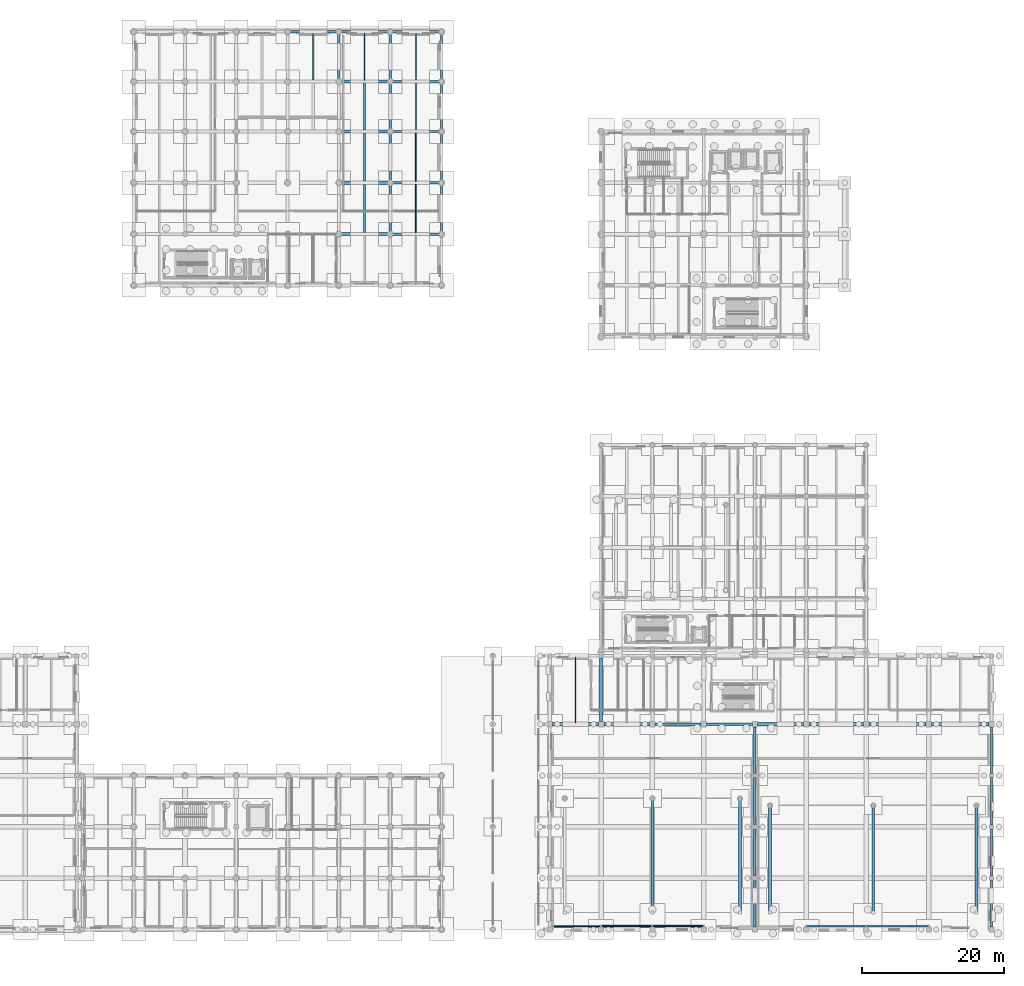
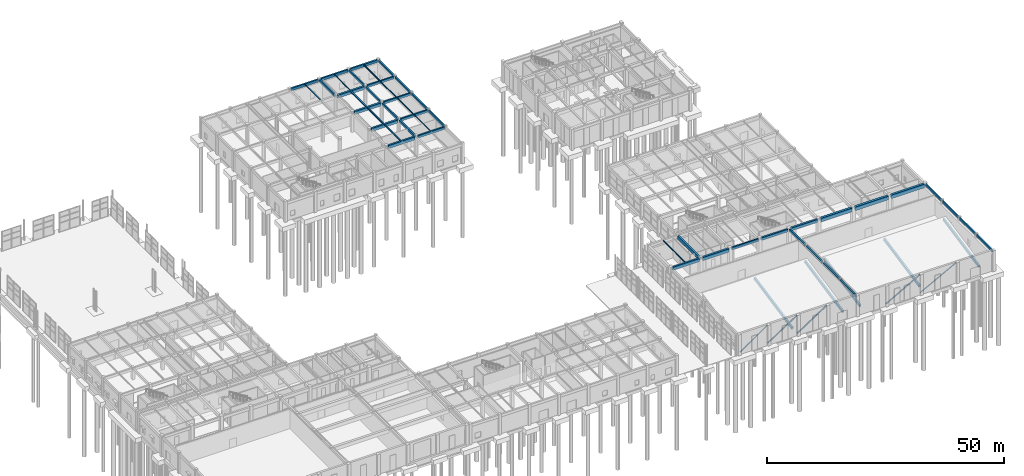
# One storey, part 46 of 91: 52 beams, 5 members.
"""IFC4 building model written with IfcOpenShell, lengths in metres."""

import ifcopenshell
import ifcopenshell.guid

model = None  # the IFC model being written
_history = None  # IfcOwnerHistory: only IFC2X3 demands one
_inside = {}  # id of a spatial element -> (the spatial element, [elements in it])
_under = {}  # id of a project, library or spatial element -> (it, [spatial elements below it])
_declared = {}  # id of a project -> (the project, [libraries it declares])
_typed = {}  # id of a type object -> (the type object, [elements of that type])
_made_of = {}  # id of a material, layer set ... -> (it, [elements and type objects made of it])


def new_model(schema):
    """Start an empty IFC model of exactly this schema.

    Asked for "IFC4X3", IfcOpenShell would pick the latest addendum, in which some entities
    have other attributes; the version numbers below select the first issue.
    IFC2X3 requires an IfcOwnerHistory on every rooted entity: one is made here for all.
    """
    global model, _history
    if schema == "IFC4X3":
        model = ifcopenshell.file(schema_version=(4, 3, 0, 0))
    else:
        model = ifcopenshell.file(schema=schema)
    _inside.clear()
    _under.clear()
    _declared.clear()
    _typed.clear()
    _made_of.clear()
    _history = None
    if model.schema == "IFC2X3":
        org = make("IfcOrganization", Name="unknown")
        user = make(
            "IfcPersonAndOrganization",
            ThePerson=make("IfcPerson", FamilyName="unknown"),
            TheOrganization=org,
        )
        app = make(
            "IfcApplication",
            ApplicationDeveloper=org,
            Version="unknown",
            ApplicationFullName="unknown",
            ApplicationIdentifier="unknown",
        )
        _history = make(
            "IfcOwnerHistory",
            OwningUser=user,
            OwningApplication=app,
            ChangeAction="ADDED",
            CreationDate=0,
        )
    return model


def make(cls, **values):
    """One entity of the class cls with the attributes given. An attribute that is None is left unset."""
    return model.create_entity(
        cls, **{name: value for name, value in values.items() if value is not None}
    )


def rooted(cls, **values):
    """An entity with a GlobalId (a new one), such as an element, a storey or a relation."""
    return make(cls, GlobalId=ifcopenshell.guid.new(), OwnerHistory=_history, **values)


def si_unit(unit_type, name, prefix=None):
    """IfcSIUnit, for example si_unit("LENGTHUNIT", "METRE", prefix="MILLI")."""
    return make("IfcSIUnit", UnitType=unit_type, Prefix=prefix, Name=name)


def assignment(units):
    """IfcUnitAssignment: the units of a project."""
    return None if units is None else make("IfcUnitAssignment", Units=units)


def point(xyz):
    """IfcCartesianPoint."""
    return None if xyz is None else make("IfcCartesianPoint", Coordinates=xyz)


def direction(xyz):
    """IfcDirection."""
    return None if xyz is None else make("IfcDirection", DirectionRatios=xyz)


def frame(location, z_axis=None, x_axis=None):
    """IfcAxis2Placement3D, a coordinate frame: its origin and axes. An axis left out is left unset."""
    return make(
        "IfcAxis2Placement3D",
        Location=point(location),
        Axis=direction(z_axis),
        RefDirection=direction(x_axis),
    )


def frame_2d(location, x_axis=None):
    """IfcAxis2Placement2D, a coordinate frame in the plane: its origin and x axis."""
    return make(
        "IfcAxis2Placement2D", Location=point(location), RefDirection=direction(x_axis)
    )


def origin():
    """The frame at (0, 0, 0) with its axes left unset."""
    return frame((0.0, 0.0, 0.0))


def origin_2d():
    """The frame at (0, 0) in the plane with its x axis left unset."""
    return frame_2d((0.0, 0.0))


def place(relative_to, where):
    """IfcLocalPlacement: puts the frame where relative to a parent placement (None: the world)."""
    return make(
        "IfcLocalPlacement", PlacementRelTo=relative_to, RelativePlacement=where
    )


def context(
    kind, dimensions, precision=None, world=None, true_north=None, identifier=None
):
    """IfcGeometricRepresentationContext, for example the 3D "Model" context."""
    return make(
        "IfcGeometricRepresentationContext",
        ContextIdentifier=identifier,
        ContextType=kind,
        CoordinateSpaceDimension=dimensions,
        Precision=precision,
        WorldCoordinateSystem=world,
        TrueNorth=true_north,
    )


def subcontext(parent, identifier, kind, view, scale=None):
    """IfcGeometricRepresentationSubContext, for example "Body" below "Model"."""
    return make(
        "IfcGeometricRepresentationSubContext",
        ContextIdentifier=identifier,
        ContextType=kind,
        ParentContext=parent,
        TargetScale=scale,
        TargetView=view,
    )


def project(units=None, contexts=None):
    """IfcProject with its units and contexts."""
    return rooted(
        "IfcProject",
        Name="project",
        RepresentationContexts=contexts,
        UnitsInContext=assignment(units),
    )


def spatial(cls, under=None, at=None, **own):
    """A site, building, storey or space (cls), placed at a placement, below another one or the project."""
    s = rooted(cls, ObjectPlacement=at, **own)
    if under is not None:
        _under.setdefault(under.id(), (under, []))[1].append(s)
    return s


def profile(cls, at=None, kind="AREA", **sizes):
    """A parametric profile (cls). Its sizes go by their IFC names, for example OverallWidth=200.0."""
    return make(cls, ProfileType=kind, Position=at, **sizes)


def rectangle(**sizes):
    """IfcRectangleProfileDef."""
    return profile("IfcRectangleProfileDef", **sizes)


def hollow_rectangle(**sizes):
    """IfcRectangleHollowProfileDef."""
    return profile("IfcRectangleHollowProfileDef", **sizes)


def hollow_circle(**sizes):
    """IfcCircleHollowProfileDef."""
    return profile("IfcCircleHollowProfileDef", **sizes)


def i_section(**sizes):
    """IfcIShapeProfileDef."""
    return profile("IfcIShapeProfileDef", **sizes)


def extrude(swept, where, along, depth):
    """IfcExtrudedAreaSolid: the profile swept, set in the frame where, extruded along a direction by depth."""
    return make(
        "IfcExtrudedAreaSolid",
        SweptArea=swept,
        Position=where,
        ExtrudedDirection=direction(along),
        Depth=depth,
    )


def shape(context_of_items, identifier, shape_type, items):
    """IfcShapeRepresentation: the items that make up one representation, for example the "Body"."""
    return make(
        "IfcShapeRepresentation",
        ContextOfItems=context_of_items,
        RepresentationIdentifier=identifier,
        RepresentationType=shape_type,
        Items=items,
    )


def material(Name=None, Category=None):
    """IfcMaterial."""
    return make("IfcMaterial", Name=Name, Category=Category)


def material_profile(
    of_material, cross_section, Name=None, Category=None, Priority=None
):
    """IfcMaterialProfile: a cross section and its material."""
    return make(
        "IfcMaterialProfile",
        Name=Name,
        Material=of_material,
        Profile=cross_section,
        Priority=Priority,
        Category=Category,
    )


def profile_set(profiles, Name=None, composite=None):
    """IfcMaterialProfileSet."""
    return make(
        "IfcMaterialProfileSet",
        Name=Name,
        MaterialProfiles=profiles,
        CompositeProfile=composite,
    )


def made_of(thing, what):
    """Note that an element or type object is made of a material, layer set ...; save() writes the relation."""
    if what is not None:
        _made_of.setdefault(what.id(), (what, []))[1].append(thing)
    return thing


def type_object(cls, material=None, **own):
    """A type object (cls), such as IfcWallType, which elements share."""
    return made_of(rooted(cls, **own), material)


def element(
    cls,
    number,
    at=None,
    inside=None,
    cuts=None,
    type_object=None,
    material=None,
    context=None,
    identifier="Body",
    shape_type=None,
    held_by="IfcProductDefinitionShape",
    body=None,
    shapes=None,
    **own,
):
    """One element of the class cls, such as IfcWall. Its Tag is "e" and its number.

    at: its placement. inside: the storey or other place that contains it. cuts: it is an
    opening in that element (IfcRelVoidsElement). A single representation is given by context,
    identifier, shape_type and body (its items); several are given by shapes. held_by: the class
    of the entity that holds the representations. save() writes the other relations.
    """
    e = rooted(cls, Tag="e%d" % number, ObjectPlacement=at, **own)
    if body is not None:
        shapes = [shape(context, identifier, shape_type, body)]
    if shapes is not None:
        e.Representation = make(held_by, Representations=shapes)
    if inside is not None:
        _inside.setdefault(inside.id(), (inside, []))[1].append(e)
    if cuts is not None:
        rooted(
            "IfcRelVoidsElement", RelatingBuildingElement=cuts, RelatedOpeningElement=e
        )
    if type_object is not None:
        _typed.setdefault(type_object.id(), (type_object, []))[1].append(e)
    return made_of(e, material)


def aggregate(whole, parts):
    """IfcRelAggregates: a whole, such as a stair, and the parts it consists of."""
    return rooted("IfcRelAggregates", RelatingObject=whole, RelatedObjects=parts)


def save(model, path):
    """Write the relations noted so far, then the file.

    IfcRelAggregates (storeys below a building ...), IfcRelContainedInSpatialStructure (elements
    in a storey), IfcRelDefinesByType, IfcRelAssociatesMaterial and IfcRelDeclares: one each for
    every whole, place, type object, material and project.
    """
    for whole, parts in _under.values():
        aggregate(whole, parts)
    for where, things in _inside.values():
        rooted(
            "IfcRelContainedInSpatialStructure",
            RelatedElements=things,
            RelatingStructure=where,
        )
    for kind, things in _typed.values():
        rooted("IfcRelDefinesByType", RelatedObjects=things, RelatingType=kind)
    for what, things in _made_of.values():
        rooted("IfcRelAssociatesMaterial", RelatedObjects=things, RelatingMaterial=what)
    for by, libraries in _declared.values():
        rooted("IfcRelDeclares", RelatingContext=by, RelatedDefinitions=libraries)
    model.write(path)


model = new_model("IFC4")

# Units and contexts
model_context = context("Model", 3, precision=1e-05, world=origin(), true_north=direction((0.0, 1.0)))
body_context = subcontext(model_context, "Body", "Model", "MODEL_VIEW")
ifc_project = project(units=[si_unit("LENGTHUNIT", "METRE"), si_unit("AREAUNIT", "SQUARE_METRE"), si_unit("VOLUMEUNIT", "CUBIC_METRE"), si_unit("PLANEANGLEUNIT", "RADIAN"), si_unit("MASSUNIT", "GRAM", prefix="KILO")], contexts=[model_context])

# Site, building, storey
site_placement = place(None, origin())
site = spatial("IfcSite", under=ifc_project, at=site_placement, CompositionType="ELEMENT")
building_placement = place(site_placement, origin())
building = spatial("IfcBuilding", under=site, at=building_placement, Name="Bramveld Media Centre", CompositionType="ELEMENT")
storey_placement = place(building_placement, origin())
storey = spatial("IfcBuildingStorey", under=building, at=storey_placement, Name="L00", CompositionType="ELEMENT", Elevation=0.0)

# Beams
ifc_material_1 = material(Name="Concrete C40/50", Category="concrete")
ifc_material_profile_1 = material_profile(ifc_material_1, rectangle(XDim=0.35009765625, YDim=0.60009765625, at=origin_2d()), Name="RC 350x600")
ifc_profile_set_1 = profile_set([ifc_material_profile_1], Name="Concrete C40/50")
beam_type_1 = type_object("IfcBeamType", Name="BM-INT-RC-350x600", PredefinedType="BEAM", material=ifc_profile_set_1)
beam_1_placement = place(storey_placement, frame((152.800048828125, 0.360107421875, 4.85009765625), z_axis=(0.0, 1.0, 0.0), x_axis=(-1.0, 0.0, 0.0)))
element("IfcBeam", 1, at=beam_1_placement, inside=storey, type_object=beam_type_1, Name="V1 L00 girder Y-25", PredefinedType="BEAM", context=body_context, shape_type="SweptSolid", body=[
    extrude(rectangle(XDim=0.35009765625, YDim=0.60009765625, at=origin_2d()), origin(), (0.0, 0.0, 1.0), 6.539794921875),
])
for number, where, z_axis, x_axis, name in (
    (2, (152.800048828125, 7.5, 4.85009765625), (0.0, 1.0, 0.0), (-1.0, 0.0, 0.0), "V1 L00 girder Y-26"),
    (3, (152.800048828125, 14.699951171875, 4.85009765625), (0.0, 1.0, 0.0), (-1.0, 0.0, 0.0), "V1 L00 girder Y-27"),
):
    element("IfcBeam", number, at=place(storey_placement, frame(where, z_axis=z_axis, x_axis=x_axis)), inside=storey, type_object=beam_type_1, Name=name, PredefinedType="BEAM", context=body_context, shape_type="SweptSolid", body=[
        extrude(rectangle(XDim=0.35009765625, YDim=0.60009765625, at=origin_2d()), origin(), (0.0, 0.0, 1.0), 6.60009765625),
    ])
beam_2_placement = place(storey_placement, frame((152.800048828125, 21.89990234375, 4.85009765625), z_axis=(0.0, 1.0, 0.0), x_axis=(-1.0, 0.0, 0.0)))
element("IfcBeam", 4, at=beam_2_placement, inside=storey, type_object=beam_type_1, Name="V1 L00 girder Y-28", PredefinedType="BEAM", context=body_context, shape_type="SweptSolid", body=[
    extrude(rectangle(XDim=0.35009765625, YDim=0.60009765625, at=origin_2d()), origin(), (0.0, 0.0, 1.0), 6.525146484375),
])
beam_3_placement = place(storey_placement, frame((94.39990234375, 119.375, 4.860107421875), z_axis=(0.0, 1.0, 0.0), x_axis=(-1.0, 0.0, 0.0)))
element("IfcBeam", 5, at=beam_3_placement, inside=storey, type_object=beam_type_1, Name="V6 L00 girder Y-959", PredefinedType="BEAM", context=body_context, shape_type="SweptSolid", body=[
    extrude(rectangle(XDim=0.35009765625, YDim=0.60009765625, at=origin_2d()), origin(), (0.0, 0.0, 1.0), 6.31494140625),
])
for number, where, z_axis, x_axis, name in (
    (6, (101.60009765625, 97.97509765625, 4.820068359375), (0.0, 1.0, 0.0), (-1.0, 0.0, 0.0), "V6 L00 girder Y-961"),
    (7, (101.60009765625, 105.175048828125, 4.820068359375), (0.0, 1.0, 0.0), (-1.0, 0.0, 0.0), "V6 L00 girder Y-962"),
):
    element("IfcBeam", number, at=place(storey_placement, frame(where, z_axis=z_axis, x_axis=x_axis)), inside=storey, type_object=beam_type_1, Name=name, PredefinedType="BEAM", context=body_context, shape_type="SweptSolid", body=[
        extrude(rectangle(XDim=0.35009765625, YDim=0.60009765625, at=origin_2d()), origin(), (0.0, 0.0, 1.0), 6.449951171875),
    ])
beam_4_placement = place(storey_placement, frame((101.60009765625, 112.375, 4.820068359375), z_axis=(0.0, 1.0, 0.0), x_axis=(-1.0, 0.0, 0.0)))
element("IfcBeam", 8, at=beam_4_placement, inside=storey, type_object=beam_type_1, Name="V6 L00 girder Y-963", PredefinedType="BEAM", context=body_context, shape_type="SweptSolid", body=[
    extrude(rectangle(XDim=0.35009765625, YDim=0.60009765625, at=origin_2d()), origin(), (0.0, 0.0, 1.0), 6.25),
])
beam_5_placement = place(storey_placement, frame((101.60009765625, 119.375, 4.860107421875), z_axis=(0.0, 1.0, 0.0), x_axis=(-1.0, 0.0, 0.0)))
element("IfcBeam", 9, at=beam_5_placement, inside=storey, type_object=beam_type_1, Name="V6 L00 girder Y-964", PredefinedType="BEAM", context=body_context, shape_type="SweptSolid", body=[
    extrude(rectangle(XDim=0.35009765625, YDim=0.60009765625, at=origin_2d()), origin(), (0.0, 0.0, 1.0), 6.31494140625),
])
ifc_material_2 = material(Name="Concrete C40/50", Category="concrete")
ifc_material_profile_2 = material_profile(ifc_material_2, rectangle(XDim=0.35009765625, YDim=0.64990234375, at=origin_2d()), Name="RC 350x650")
ifc_profile_set_2 = profile_set([ifc_material_profile_2], Name="Concrete C40/50")
beam_type_2 = type_object("IfcBeamType", Name="BM-INT-RC-350x650", PredefinedType="BEAM", material=ifc_profile_set_2)
beam_6_placement = place(storey_placement, frame((138.77490234375, 28.800048828125, 4.794921875), z_axis=(1.0, 0.0, 0.0), x_axis=(0.0, 1.0, 0.0)))
element("IfcBeam", 10, at=beam_6_placement, inside=storey, type_object=beam_type_2, Name="V1 L00 girder X-3", PredefinedType="BEAM", context=body_context, shape_type="SweptSolid", body=[
    extrude(rectangle(XDim=0.35009765625, YDim=0.64990234375, at=origin_2d()), origin(), (0.0, 0.0, 1.0), 6.4501953125),
])
for number, where, z_axis, x_axis, name in (
    (11, (101.97509765625, 97.60009765625, 4.794921875), (1.0, 0.0, 0.0), (0.0, 1.0, 0.0), "V6 L00 girder X-915"),
    (12, (101.97509765625, 104.800048828125, 4.794921875), (1.0, 0.0, 0.0), (0.0, 1.0, 0.0), "V6 L00 girder X-919"),
    (13, (101.97509765625, 112.0, 4.794921875), (1.0, 0.0, 0.0), (0.0, 1.0, 0.0), "V6 L00 girder X-925"),
    (14, (101.97509765625, 119.0, 4.794921875), (1.0, 0.0, 0.0), (0.0, 1.0, 0.0), "V6 L00 girder X-931"),
):
    element("IfcBeam", number, at=place(storey_placement, frame(where, z_axis=z_axis, x_axis=x_axis)), inside=storey, type_object=beam_type_2, Name=name, PredefinedType="BEAM", context=body_context, shape_type="SweptSolid", body=[
        extrude(rectangle(XDim=0.35009765625, YDim=0.64990234375, at=origin_2d()), origin(), (0.0, 0.0, 1.0), 6.514892578125),
    ])
ifc_material_3 = material(Name="Concrete C40/50", Category="concrete")
ifc_material_profile_3 = material_profile(ifc_material_3, rectangle(XDim=0.39990234375, YDim=0.64990234375, at=origin_2d()), Name="RC 400x650")
ifc_profile_set_3 = profile_set([ifc_material_profile_3], Name="Concrete C40/50")
beam_type_3 = type_object("IfcBeamType", Name="BM-INT-RC-400x650", PredefinedType="BEAM", material=ifc_profile_set_3)
for number, where, z_axis, x_axis, name in (
    (15, (138.39990234375, 2.39990234375, 0.375), (0.0, 0.979747472329, 0.200237085638), (-1.0, 0.0, 0.0), "Cinema 1 Raked Seating Slab raker beam 2"),
    (16, (150.699951171875, 2.39990234375, 0.375), (0.0, 0.979747472329, 0.200237085638), (-1.0, 0.0, 0.0), "Cinema 1 Raked Seating Slab raker beam 3"),
):
    element("IfcBeam", number, at=place(storey_placement, frame(where, z_axis=z_axis, x_axis=x_axis)), inside=storey, type_object=beam_type_3, Name=name, PredefinedType="BEAM", context=body_context, shape_type="SweptSolid", body=[
        extrude(rectangle(XDim=0.39990234375, YDim=0.64990234375, at=origin_2d()), origin(), (0.0, 0.0, 1.0), 16.330810546875),
    ])
for number, where, z_axis, x_axis, name in (
    (17, (154.89990234375, 2.39990234375, 0.39501953125), (0.0, 0.979690734172, 0.200514501664), (-1.0, 0.0, 0.0), "Cinema 2 Raked Seating Slab raker beam 1"),
    (18, (169.39990234375, 2.39990234375, 0.39501953125), (0.0, 0.979690734172, 0.200514501664), (-1.0, 0.0, 0.0), "Cinema 2 Raked Seating Slab raker beam 2"),
    (19, (183.89990234375, 2.39990234375, 0.39501953125), (0.0, 0.979690734172, 0.200514501664), (-1.0, 0.0, 0.0), "Cinema 2 Raked Seating Slab raker beam 3"),
):
    element("IfcBeam", number, at=place(storey_placement, frame(where, z_axis=z_axis, x_axis=x_axis)), inside=storey, type_object=beam_type_3, Name=name, PredefinedType="BEAM", context=body_context, shape_type="SweptSolid", body=[
        extrude(rectangle(XDim=0.39990234375, YDim=0.64990234375, at=origin_2d()), origin(), (0.0, 0.0, 1.0), 15.31103515625),
    ])
ifc_material_4 = material(Name="Concrete C40/50", Category="concrete")
ifc_material_profile_4 = material_profile(ifc_material_4, rectangle(XDim=0.39990234375, YDim=0.699951171875, at=origin_2d()), Name="RC 400x700")
ifc_profile_set_4 = profile_set([ifc_material_profile_4], Name="Concrete C40/50")
beam_type_4 = type_object("IfcBeamType", Name="BM-INT-RC-400x700", PredefinedType="BEAM", material=ifc_profile_set_4)
beam_7_placement = place(storey_placement, frame((145.97509765625, 28.800048828125, 4.77001953125), z_axis=(1.0, 0.0, 0.0), x_axis=(0.0, 1.0, 0.0)))
element("IfcBeam", 20, at=beam_7_placement, inside=storey, type_object=beam_type_4, Name="V1 L00 girder X-4", PredefinedType="BEAM", context=body_context, shape_type="SweptSolid", body=[
    extrude(rectangle(XDim=0.39990234375, YDim=0.699951171875, at=origin_2d()), origin(), (0.0, 0.0, 1.0), 6.449951171875),
])
ifc_material_5 = material(Name="Concrete C40/50", Category="concrete")
ifc_material_profile_5 = material_profile(ifc_material_5, rectangle(XDim=0.449951171875, YDim=0.75, at=origin_2d()), Name="RC 450x750")
ifc_profile_set_5 = profile_set([ifc_material_profile_5], Name="Concrete C40/50")
beam_type_5 = type_object("IfcBeamType", Name="BM-INT-RC-450x750", PredefinedType="BEAM", material=ifc_profile_set_5)
beam_8_placement = place(storey_placement, frame((153.175048828125, 28.800048828125, 4.7451171875), z_axis=(1.0, 0.0, 0.0), x_axis=(0.0, 1.0, 0.0)))
element("IfcBeam", 21, at=beam_8_placement, inside=storey, type_object=beam_type_5, Name="V1 L00 girder X-5", PredefinedType="BEAM", context=body_context, shape_type="SweptSolid", body=[
    extrude(rectangle(XDim=0.449951171875, YDim=0.75, at=origin_2d()), origin(), (0.0, 0.0, 1.0), 6.449951171875),
])
ifc_material_6 = material(Name="Concrete C40/50", Category="concrete")
ifc_material_profile_6 = material_profile(ifc_material_6, rectangle(XDim=0.449951171875, YDim=0.800048828125, at=origin_2d()), Name="RC 450x800")
ifc_profile_set_6 = profile_set([ifc_material_profile_6], Name="Concrete C40/50")
beam_type_6 = type_object("IfcBeamType", Name="BM-INT-RC-450x800", PredefinedType="BEAM", material=ifc_profile_set_6)
beam_9_placement = place(storey_placement, frame((124.360107421875, 28.800048828125, 4.719970703125), z_axis=(1.0, 0.0, 0.0), x_axis=(0.0, 1.0, 0.0)))
element("IfcBeam", 22, at=beam_9_placement, inside=storey, type_object=beam_type_6, Name="V1 L00 girder X-1", PredefinedType="BEAM", context=body_context, shape_type="SweptSolid", body=[
    extrude(rectangle(XDim=0.449951171875, YDim=0.800048828125, at=origin_2d()), origin(), (0.0, 0.0, 1.0), 6.46484375),
])
beam_10_placement = place(storey_placement, frame((131.199951171875, 29.175048828125, 4.719970703125), z_axis=(0.0, 1.0, 0.0), x_axis=(-1.0, 0.0, 0.0)))
element("IfcBeam", 23, at=beam_10_placement, inside=storey, type_object=beam_type_6, Name="V1 L00 girder Y-22", PredefinedType="BEAM", context=body_context, shape_type="SweptSolid", body=[
    extrude(rectangle(XDim=0.449951171875, YDim=0.800048828125, at=origin_2d()), origin(), (0.0, 0.0, 1.0), 8.93505859375),
])
for number, where, z_axis, x_axis, name in (
    (24, (94.77490234375, 97.60009765625, 4.719970703125), (1.0, 0.0, 0.0), (0.0, 1.0, 0.0), "V6 L00 girder X-914"),
    (25, (94.77490234375, 104.800048828125, 4.719970703125), (1.0, 0.0, 0.0), (0.0, 1.0, 0.0), "V6 L00 girder X-918"),
    (26, (94.77490234375, 112.0, 4.719970703125), (1.0, 0.0, 0.0), (0.0, 1.0, 0.0), "V6 L00 girder X-924"),
    (27, (94.77490234375, 119.0, 4.719970703125), (1.0, 0.0, 0.0), (0.0, 1.0, 0.0), "V6 L00 girder X-930"),
):
    element("IfcBeam", number, at=place(storey_placement, frame(where, z_axis=z_axis, x_axis=x_axis)), inside=storey, type_object=beam_type_6, Name=name, PredefinedType="BEAM", context=body_context, shape_type="SweptSolid", body=[
        extrude(rectangle(XDim=0.449951171875, YDim=0.800048828125, at=origin_2d()), origin(), (0.0, 0.0, 1.0), 6.4501953125),
    ])
ifc_material_7 = material(Name="Concrete C40/50", Category="concrete")
ifc_material_profile_7 = material_profile(ifc_material_7, rectangle(XDim=0.5, YDim=0.85009765625, at=origin_2d()), Name="RC 500x850")
ifc_profile_set_7 = profile_set([ifc_material_profile_7], Name="Concrete C40/50")
beam_type_7 = type_object("IfcBeamType", Name="BM-INT-RC-500x850", PredefinedType="BEAM", material=ifc_profile_set_7)
beam_11_placement = place(storey_placement, frame((131.574951171875, 28.800048828125, 4.695068359375), z_axis=(1.0, 0.0, 0.0), x_axis=(0.0, 1.0, 0.0)))
element("IfcBeam", 28, at=beam_11_placement, inside=storey, type_object=beam_type_7, Name="V1 L00 girder X-2", PredefinedType="BEAM", context=body_context, shape_type="SweptSolid", body=[
    extrude(rectangle(XDim=0.5, YDim=0.85009765625, at=origin_2d()), origin(), (0.0, 0.0, 1.0), 6.449951171875),
])
ifc_material_8 = material(Name="Concrete C40/50", Category="concrete")
ifc_material_profile_8 = material_profile(ifc_material_8, rectangle(XDim=0.550048828125, YDim=0.949951171875, at=origin_2d()), Name="RC 550x950")
ifc_profile_set_8 = profile_set([ifc_material_profile_8], Name="Concrete C40/50")
beam_type_8 = type_object("IfcBeamType", Name="BM-INT-RC-550x950", PredefinedType="BEAM", material=ifc_profile_set_8)
beam_12_placement = place(storey_placement, frame((160.375, 28.800048828125, 4.64501953125), z_axis=(1.0, 0.0, 0.0), x_axis=(0.0, 1.0, 0.0)))
element("IfcBeam", 29, at=beam_12_placement, inside=storey, type_object=beam_type_8, Name="V1 L00 girder X-6", PredefinedType="BEAM", context=body_context, shape_type="SweptSolid", body=[
    extrude(rectangle(XDim=0.550048828125, YDim=0.949951171875, at=origin_2d()), origin(), (0.0, 0.0, 1.0), 7.64990234375),
])
beam_13_placement = place(storey_placement, frame((168.77490234375, 28.800048828125, 4.64501953125), z_axis=(1.0, 0.0, 0.0), x_axis=(0.0, 1.0, 0.0)))
element("IfcBeam", 30, at=beam_13_placement, inside=storey, type_object=beam_type_8, Name="V1 L00 girder X-7", PredefinedType="BEAM", context=body_context, shape_type="SweptSolid", body=[
    extrude(rectangle(XDim=0.550048828125, YDim=0.949951171875, at=origin_2d()), origin(), (0.0, 0.0, 1.0), 8.050048828125),
])
beam_14_placement = place(storey_placement, frame((177.574951171875, 28.800048828125, 4.64501953125), z_axis=(1.0, 0.0, 0.0), x_axis=(0.0, 1.0, 0.0)))
element("IfcBeam", 31, at=beam_14_placement, inside=storey, type_object=beam_type_8, Name="V1 L00 girder X-8", PredefinedType="BEAM", context=body_context, shape_type="SweptSolid", body=[
    extrude(rectangle(XDim=0.550048828125, YDim=0.949951171875, at=origin_2d()), origin(), (0.0, 0.0, 1.0), 8.06494140625),
])

# Members
ifc_material_9 = material(Name="Steel S355J2H", Category="steel")
ifc_material_profile_9 = material_profile(ifc_material_9, hollow_circle(Radius=0.136474609375, WallThickness=0.012451171875, at=origin_2d()), Name="CHS 273x12.5")
ifc_profile_set_9 = profile_set([ifc_material_profile_9], Name="Steel S355J2H")
member_type_1 = type_object("IfcMemberType", Name="MEM-BRACE-CHS273", PredefinedType="BRACE", material=ifc_profile_set_9)
member_1_placement = place(storey_placement, frame((124.5, 0.43994140625, 0.25), z_axis=(0.818658311294, 0.0, 0.574280915014), x_axis=(0.0, 1.0, 0.0)))
element("IfcMember", 32, at=member_1_placement, inside=storey, type_object=member_type_1, Name="Acoustic hall lateral brace BRC-V1-S1", PredefinedType="BRACE", context=body_context, shape_type="SweptSolid", body=[
    extrude(hollow_circle(Radius=0.136474609375, WallThickness=0.012451171875, at=origin_2d()), origin(), (0.0, 0.0, 1.0), 8.18408203125),
])
ifc_material_10 = material(Name="Steel S355J2H", Category="steel")
ifc_material_profile_10 = material_profile(ifc_material_10, hollow_circle(Radius=0.161865234375, WallThickness=0.01611328125, at=origin_2d()), Name="CHS 323.9x16")
ifc_profile_set_10 = profile_set([ifc_material_profile_10], Name="Steel S355J2H")
member_type_2 = type_object("IfcMemberType", Name="MEM-BRACE-CHS323", PredefinedType="BRACE", material=ifc_profile_set_10)
member_2_placement = place(storey_placement, frame((131.199951171875, 0.43994140625, 0.25), z_axis=(0.837380052936, 0.0, 0.546621118276), x_axis=(0.0, 1.0, 0.0)))
element("IfcMember", 33, at=member_2_placement, inside=storey, type_object=member_type_2, Name="Acoustic hall lateral brace BRC-V1-S2", PredefinedType="BRACE", context=body_context, shape_type="SweptSolid", body=[
    extrude(hollow_circle(Radius=0.161865234375, WallThickness=0.01611328125, at=origin_2d()), origin(), (0.0, 0.0, 1.0), 8.59814453125),
])
ifc_material_11 = material(Name="Steel S355J2H", Category="steel")
ifc_material_profile_11 = material_profile(ifc_material_11, hollow_circle(Radius=0.177734375, WallThickness=0.01611328125, at=origin_2d()), Name="CHS 355.6x16")
ifc_profile_set_11 = profile_set([ifc_material_profile_11], Name="Steel S355J2H")
member_type_3 = type_object("IfcMemberType", Name="MEM-BRACE-CHS355", PredefinedType="BRACE", material=ifc_profile_set_11)
member_3_placement = place(storey_placement, frame((138.39990234375, 0.43994140625, 0.25), z_axis=(0.837388536736, 0.0, 0.546608121549), x_axis=(0.0, 1.0, 0.0)))
element("IfcMember", 34, at=member_3_placement, inside=storey, type_object=member_type_3, Name="Acoustic hall lateral brace BRC-V1-S3", PredefinedType="BRACE", context=body_context, shape_type="SweptSolid", body=[
    extrude(hollow_circle(Radius=0.177734375, WallThickness=0.01611328125, at=origin_2d()), origin(), (0.0, 0.0, 1.0), 8.598388671875),
])
ifc_material_12 = material(Name="Steel S355J2H", Category="steel")
ifc_material_profile_12 = material_profile(ifc_material_12, hollow_rectangle(XDim=0.14990234375, YDim=0.25, WallThickness=0.010009765625, InnerFilletRadius=0.010009765625, OuterFilletRadius=0.02001953125, at=origin_2d()), Name="RHS 250x150x10")
ifc_profile_set_12 = profile_set([ifc_material_profile_12], Name="Steel S355J2H")
member_type_4 = type_object("IfcMemberType", Name="MEM-CHORD-RHS250", PredefinedType="CHORD", material=ifc_profile_set_12)
member_4_placement = place(storey_placement, frame((168.39990234375, 0.43994140625, 0.25), z_axis=(0.882078438459, 0.0, 0.471102566758), x_axis=(0.0, 1.0, 0.0)))
element("IfcMember", 35, at=member_4_placement, inside=storey, type_object=member_type_4, Name="Acoustic hall lateral brace BRC-V1-S5", PredefinedType="CHORD", context=body_context, shape_type="SweptSolid", body=[
    extrude(hollow_rectangle(XDim=0.14990234375, YDim=0.25, WallThickness=0.010009765625, InnerFilletRadius=0.010009765625, OuterFilletRadius=0.02001953125, at=origin_2d()), origin(), (0.0, 0.0, 1.0), 9.9765625),
])
ifc_material_13 = material(Name="Steel S355J2H", Category="steel")
ifc_material_profile_13 = material_profile(ifc_material_13, hollow_rectangle(XDim=0.199951171875, YDim=0.300048828125, WallThickness=0.012451171875, InnerFilletRadius=0.012451171875, OuterFilletRadius=0.02490234375, at=origin_2d()), Name="RHS 300x200x12.5")
ifc_profile_set_13 = profile_set([ifc_material_profile_13], Name="Steel S355J2H")
member_type_5 = type_object("IfcMemberType", Name="MEM-CHORD-RHS300", PredefinedType="CHORD", material=ifc_profile_set_13)
member_5_placement = place(storey_placement, frame((160.0, 0.43994140625, 0.25), z_axis=(0.872682859829, 0.0, 0.488287442149), x_axis=(0.0, 1.0, 0.0)))
element("IfcMember", 36, at=member_5_placement, inside=storey, type_object=member_type_5, Name="Acoustic hall lateral brace BRC-V1-S4", PredefinedType="CHORD", context=body_context, shape_type="SweptSolid", body=[
    extrude(hollow_rectangle(XDim=0.199951171875, YDim=0.300048828125, WallThickness=0.012451171875, InnerFilletRadius=0.012451171875, OuterFilletRadius=0.02490234375, at=origin_2d()), origin(), (0.0, 0.0, 1.0), 9.62548828125),
])

# Beams
ifc_material_14 = material(Name="Steel S355J2", Category="steel")
ifc_material_profile_14 = material_profile(ifc_material_14, i_section(OverallWidth=0.199951171875, OverallDepth=0.199951171875, WebThickness=0.009033203125, FlangeThickness=0.014892578125, FilletRadius=0.01806640625, at=origin_2d()), Name="HEB 200")
ifc_profile_set_14 = profile_set([ifc_material_profile_14], Name="Steel S355J2")
beam_type_9 = type_object("IfcBeamType", Name="SBM-INT-HEB-200", PredefinedType="BEAM", material=ifc_profile_set_14)
beam_15_placement = place(storey_placement, frame((90.800048828125, 119.22509765625, 5.06005859375), z_axis=(0.0, 1.0, 0.0), x_axis=(-1.0, 0.0, 0.0)))
element("IfcBeam", 37, at=beam_15_placement, inside=storey, type_object=beam_type_9, Name="V6 L00 secondary floor joist 983", PredefinedType="BEAM", context=body_context, shape_type="SweptSolid", body=[
    extrude(i_section(OverallWidth=0.199951171875, OverallDepth=0.199951171875, WebThickness=0.009033203125, FlangeThickness=0.014892578125, FilletRadius=0.01806640625, at=origin_2d()), origin(), (0.0, 0.0, 1.0), 6.5849609375),
])
ifc_material_15 = material(Name="Steel S355J2", Category="steel")
ifc_material_profile_15 = material_profile(ifc_material_15, i_section(OverallWidth=0.260009765625, OverallDepth=0.260009765625, WebThickness=0.010009765625, FlangeThickness=0.017578125, FilletRadius=0.02392578125, at=origin_2d()), Name="HEB 260")
ifc_profile_set_15 = profile_set([ifc_material_profile_15], Name="Steel S355J2")
beam_type_10 = type_object("IfcBeamType", Name="SBM-INT-HEB-260", PredefinedType="BEAM", material=ifc_profile_set_15)
beam_16_placement = place(storey_placement, frame((98.0, 97.824951171875, 4.989990234375), z_axis=(0.0, 1.0, 0.0), x_axis=(-1.0, 0.0, 0.0)))
element("IfcBeam", 38, at=beam_16_placement, inside=storey, type_object=beam_type_10, Name="V6 L00 secondary floor joist 985", PredefinedType="BEAM", context=body_context, shape_type="SweptSolid", body=[
    extrude(i_section(OverallWidth=0.260009765625, OverallDepth=0.260009765625, WebThickness=0.010009765625, FlangeThickness=0.017578125, FilletRadius=0.02392578125, at=origin_2d()), origin(), (0.0, 0.0, 1.0), 6.75),
])
ifc_material_16 = material(Name="Steel S355J2", Category="steel")
ifc_material_profile_16 = material_profile(ifc_material_16, i_section(OverallWidth=0.300048828125, OverallDepth=0.320068359375, WebThickness=0.011474609375, FlangeThickness=0.0205078125, FilletRadius=0.027099609375, at=origin_2d()), Name="HEB 320")
ifc_profile_set_16 = profile_set([ifc_material_profile_16], Name="Steel S355J2")
beam_type_11 = type_object("IfcBeamType", Name="SBM-INT-HEB-320", PredefinedType="BEAM", material=ifc_profile_set_16)
beam_17_placement = place(storey_placement, frame((98.0, 105.02490234375, 4.9599609375), z_axis=(0.0, 1.0, 0.0), x_axis=(-1.0, 0.0, 0.0)))
element("IfcBeam", 39, at=beam_17_placement, inside=storey, type_object=beam_type_11, Name="V6 L00 secondary floor joist 986", PredefinedType="BEAM", context=body_context, shape_type="SweptSolid", body=[
    extrude(i_section(OverallWidth=0.300048828125, OverallDepth=0.320068359375, WebThickness=0.011474609375, FlangeThickness=0.0205078125, FilletRadius=0.027099609375, at=origin_2d()), origin(), (0.0, 0.0, 1.0), 6.75),
])
ifc_material_17 = material(Name="Steel S355J2", Category="steel")
ifc_material_profile_17 = material_profile(ifc_material_17, i_section(OverallWidth=0.300048828125, OverallDepth=0.360107421875, WebThickness=0.012451171875, FlangeThickness=0.0224609375, FilletRadius=0.027099609375, at=origin_2d()), Name="HEB 360")
ifc_profile_set_17 = profile_set([ifc_material_profile_17], Name="Steel S355J2")
beam_type_12 = type_object("IfcBeamType", Name="SBM-INT-HEB-360", PredefinedType="BEAM", material=ifc_profile_set_17)
beam_18_placement = place(storey_placement, frame((98.0, 112.22509765625, 4.93994140625), z_axis=(0.0, 1.0, 0.0), x_axis=(-1.0, 0.0, 0.0)))
element("IfcBeam", 40, at=beam_18_placement, inside=storey, type_object=beam_type_12, Name="V6 L00 secondary floor joist 987", PredefinedType="BEAM", context=body_context, shape_type="SweptSolid", body=[
    extrude(i_section(OverallWidth=0.300048828125, OverallDepth=0.360107421875, WebThickness=0.012451171875, FlangeThickness=0.0224609375, FilletRadius=0.027099609375, at=origin_2d()), origin(), (0.0, 0.0, 1.0), 6.5498046875),
])
ifc_material_18 = material(Name="Steel S355J2", Category="steel")
ifc_material_profile_18 = material_profile(ifc_material_18, i_section(OverallWidth=0.091064453125, OverallDepth=0.179931640625, WebThickness=0.00537109375, FlangeThickness=0.008056640625, FilletRadius=0.009033203125, at=origin_2d()), Name="IPE 180")
ifc_profile_set_18 = profile_set([ifc_material_profile_18], Name="Steel S355J2")
beam_type_13 = type_object("IfcBeamType", Name="SBM-INT-IPE-180", PredefinedType="JOIST", material=ifc_profile_set_18)
beam_19_placement = place(storey_placement, frame((98.0, 119.22509765625, 5.070068359375), z_axis=(0.0, 1.0, 0.0), x_axis=(-1.0, 0.0, 0.0)))
element("IfcBeam", 41, at=beam_19_placement, inside=storey, type_object=beam_type_13, Name="V6 L00 secondary floor joist 988", PredefinedType="JOIST", context=body_context, shape_type="SweptSolid", body=[
    extrude(i_section(OverallWidth=0.091064453125, OverallDepth=0.179931640625, WebThickness=0.00537109375, FlangeThickness=0.008056640625, FilletRadius=0.009033203125, at=origin_2d()), origin(), (0.0, 0.0, 1.0), 6.5849609375),
])
ifc_material_19 = material(Name="Steel S355J2", Category="steel")
ifc_material_profile_19 = material_profile(ifc_material_19, i_section(OverallWidth=0.110107421875, OverallDepth=0.219970703125, WebThickness=0.005859375, FlangeThickness=0.00927734375, FilletRadius=0.011962890625, at=origin_2d()), Name="IPE 220")
ifc_profile_set_19 = profile_set([ifc_material_profile_19], Name="Steel S355J2")
beam_type_14 = type_object("IfcBeamType", Name="SBM-INT-IPE-220", PredefinedType="JOIST", material=ifc_profile_set_19)
beam_20_placement = place(storey_placement, frame((127.60009765625, 29.02490234375, 5.010009765625), z_axis=(0.0, 1.0, 0.0), x_axis=(-1.0, 0.0, 0.0)))
element("IfcBeam", 42, at=beam_20_placement, inside=storey, type_object=beam_type_14, Name="V1 L00 secondary floor joist 37", PredefinedType="JOIST", context=body_context, shape_type="SweptSolid", body=[
    extrude(i_section(OverallWidth=0.110107421875, OverallDepth=0.219970703125, WebThickness=0.005859375, FlangeThickness=0.00927734375, FilletRadius=0.011962890625, at=origin_2d()), origin(), (0.0, 0.0, 1.0), 9.18505859375),
])
ifc_material_20 = material(Name="Steel S355J2", Category="steel")
ifc_material_profile_20 = material_profile(ifc_material_20, i_section(OverallWidth=0.1201171875, OverallDepth=0.239990234375, WebThickness=0.006103515625, FlangeThickness=0.009765625, FilletRadius=0.014892578125, at=origin_2d()), Name="IPE 240")
ifc_profile_set_20 = profile_set([ifc_material_profile_20], Name="Steel S355J2")
beam_type_15 = type_object("IfcBeamType", Name="SBM-INT-IPE-240", PredefinedType="JOIST", material=ifc_profile_set_20)
beam_21_placement = place(storey_placement, frame((105.199951171875, 97.77490234375, 5.0), z_axis=(0.0, 1.0, 0.0), x_axis=(-1.0, 0.0, 0.0)))
element("IfcBeam", 43, at=beam_21_placement, inside=storey, type_object=beam_type_15, Name="V6 L00 secondary floor joist 990", PredefinedType="JOIST", context=body_context, shape_type="SweptSolid", body=[
    extrude(i_section(OverallWidth=0.1201171875, OverallDepth=0.239990234375, WebThickness=0.006103515625, FlangeThickness=0.009765625, FilletRadius=0.014892578125, at=origin_2d()), origin(), (0.0, 0.0, 1.0), 6.85009765625),
])
ifc_material_21 = material(Name="Steel S355J2", Category="steel")
ifc_material_profile_21 = material_profile(ifc_material_21, i_section(OverallWidth=0.135009765625, OverallDepth=0.27001953125, WebThickness=0.006591796875, FlangeThickness=0.01025390625, FilletRadius=0.014892578125, at=origin_2d()), Name="IPE 270")
ifc_profile_set_21 = profile_set([ifc_material_profile_21], Name="Steel S355J2")
beam_type_16 = type_object("IfcBeamType", Name="SBM-INT-IPE-270", PredefinedType="JOIST", material=ifc_profile_set_21)
beam_22_placement = place(storey_placement, frame((105.199951171875, 104.97509765625, 4.985107421875), z_axis=(0.0, 1.0, 0.0), x_axis=(-1.0, 0.0, 0.0)))
element("IfcBeam", 44, at=beam_22_placement, inside=storey, type_object=beam_type_16, Name="V6 L00 secondary floor joist 991", PredefinedType="JOIST", context=body_context, shape_type="SweptSolid", body=[
    extrude(i_section(OverallWidth=0.135009765625, OverallDepth=0.27001953125, WebThickness=0.006591796875, FlangeThickness=0.01025390625, FilletRadius=0.014892578125, at=origin_2d()), origin(), (0.0, 0.0, 1.0), 6.849853515625),
])
ifc_material_22 = material(Name="Steel S355J2", Category="steel")
ifc_material_profile_22 = material_profile(ifc_material_22, i_section(OverallWidth=0.14990234375, OverallDepth=0.300048828125, WebThickness=0.007080078125, FlangeThickness=0.0107421875, FilletRadius=0.014892578125, at=origin_2d()), Name="IPE 300")
ifc_profile_set_22 = profile_set([ifc_material_profile_22], Name="Steel S355J2")
beam_type_17 = type_object("IfcBeamType", Name="SBM-INT-IPE-300", PredefinedType="JOIST", material=ifc_profile_set_22)
beam_23_placement = place(storey_placement, frame((105.199951171875, 112.175048828125, 4.969970703125), z_axis=(0.0, 1.0, 0.0), x_axis=(-1.0, 0.0, 0.0)))
element("IfcBeam", 45, at=beam_23_placement, inside=storey, type_object=beam_type_17, Name="V6 L00 secondary floor joist 992", PredefinedType="JOIST", context=body_context, shape_type="SweptSolid", body=[
    extrude(i_section(OverallWidth=0.14990234375, OverallDepth=0.300048828125, WebThickness=0.007080078125, FlangeThickness=0.0107421875, FilletRadius=0.014892578125, at=origin_2d()), origin(), (0.0, 0.0, 1.0), 6.64990234375),
])
ifc_material_23 = material(Name="Steel S355J2", Category="steel")
ifc_material_profile_23 = material_profile(ifc_material_23, i_section(OverallWidth=0.159912109375, OverallDepth=0.330078125, WebThickness=0.007568359375, FlangeThickness=0.011474609375, FilletRadius=0.01806640625, at=origin_2d()), Name="IPE 330")
ifc_profile_set_23 = profile_set([ifc_material_profile_23], Name="Steel S355J2")
beam_type_18 = type_object("IfcBeamType", Name="SBM-INT-IPE-330", PredefinedType="JOIST", material=ifc_profile_set_23)
beam_24_placement = place(storey_placement, frame((105.199951171875, 119.175048828125, 4.9951171875), z_axis=(0.0, 1.0, 0.0), x_axis=(-1.0, 0.0, 0.0)))
element("IfcBeam", 46, at=beam_24_placement, inside=storey, type_object=beam_type_18, Name="V6 L00 secondary floor joist 993", PredefinedType="JOIST", context=body_context, shape_type="SweptSolid", body=[
    extrude(i_section(OverallWidth=0.159912109375, OverallDepth=0.330078125, WebThickness=0.007568359375, FlangeThickness=0.011474609375, FilletRadius=0.01806640625, at=origin_2d()), origin(), (0.0, 0.0, 1.0), 6.635009765625),
])
ifc_material_24 = material(Name="Concrete C40/50", Category="concrete")
ifc_material_profile_24 = material_profile(ifc_material_24, rectangle(XDim=0.320068359375, YDim=0.580078125, at=origin_2d()), Name="RC 320x580")
ifc_profile_set_24 = profile_set([ifc_material_profile_24], Name="Concrete C40/50")
beam_type_19 = type_object("IfcBeamType", Name="SPANDREL-EXT-RC-320x580", PredefinedType="SPANDREL", material=ifc_profile_set_24)
beam_25_placement = place(storey_placement, frame((186.0, 0.360107421875, 4.860107421875), z_axis=(0.0, 1.0, 0.0), x_axis=(-1.0, 0.0, 0.0)))
element("IfcBeam", 47, at=beam_25_placement, inside=storey, type_object=beam_type_19, Name="V1 L00 girder Y-32", PredefinedType="SPANDREL", context=body_context, shape_type="SweptSolid", body=[
    extrude(rectangle(XDim=0.320068359375, YDim=0.580078125, at=origin_2d()), origin(), (0.0, 0.0, 1.0), 6.5498046875),
])
for number, where, z_axis, x_axis, name in (
    (48, (186.0, 7.489990234375, 4.860107421875), (0.0, 1.0, 0.0), (-1.0, 0.0, 0.0), "V1 L00 girder Y-33"),
    (49, (186.0, 14.68994140625, 4.860107421875), (0.0, 1.0, 0.0), (-1.0, 0.0, 0.0), "V1 L00 girder Y-34"),
):
    element("IfcBeam", number, at=place(storey_placement, frame(where, z_axis=z_axis, x_axis=x_axis)), inside=storey, type_object=beam_type_19, Name=name, PredefinedType="SPANDREL", context=body_context, shape_type="SweptSolid", body=[
        extrude(rectangle(XDim=0.320068359375, YDim=0.580078125, at=origin_2d()), origin(), (0.0, 0.0, 1.0), 6.6201171875),
    ])
beam_26_placement = place(storey_placement, frame((186.0, 21.889892578125, 4.860107421875), z_axis=(0.0, 1.0, 0.0), x_axis=(-1.0, 0.0, 0.0)))
element("IfcBeam", 50, at=beam_26_placement, inside=storey, type_object=beam_type_19, Name="V1 L00 girder Y-35", PredefinedType="SPANDREL", context=body_context, shape_type="SweptSolid", body=[
    extrude(rectangle(XDim=0.320068359375, YDim=0.580078125, at=origin_2d()), origin(), (0.0, 0.0, 1.0), 6.550048828125),
])
beam_27_placement = place(storey_placement, frame((108.800048828125, 97.909912109375, 4.830078125), z_axis=(0.0, 1.0, 0.0), x_axis=(-1.0, 0.0, 0.0)))
element("IfcBeam", 51, at=beam_27_placement, inside=storey, type_object=beam_type_19, Name="V6 L00 girder Y-966", PredefinedType="SPANDREL", context=body_context, shape_type="SweptSolid", body=[
    extrude(rectangle(XDim=0.320068359375, YDim=0.580078125, at=origin_2d()), origin(), (0.0, 0.0, 1.0), 6.580078125),
])
beam_28_placement = place(storey_placement, frame((108.800048828125, 105.110107421875, 4.830078125), z_axis=(0.0, 1.0, 0.0), x_axis=(-1.0, 0.0, 0.0)))
element("IfcBeam", 52, at=beam_28_placement, inside=storey, type_object=beam_type_19, Name="V6 L00 girder Y-967", PredefinedType="SPANDREL", context=body_context, shape_type="SweptSolid", body=[
    extrude(rectangle(XDim=0.320068359375, YDim=0.580078125, at=origin_2d()), origin(), (0.0, 0.0, 1.0), 6.579833984375),
])
for number, where, z_axis, x_axis, name in (
    (53, (108.800048828125, 112.31005859375, 4.830078125), (0.0, 1.0, 0.0), (-1.0, 0.0, 0.0), "V6 L00 girder Y-968"),
    (54, (108.800048828125, 119.31005859375, 4.8701171875), (0.0, 1.0, 0.0), (-1.0, 0.0, 0.0), "V6 L00 girder Y-969"),
):
    element("IfcBeam", number, at=place(storey_placement, frame(where, z_axis=z_axis, x_axis=x_axis)), inside=storey, type_object=beam_type_19, Name=name, PredefinedType="SPANDREL", context=body_context, shape_type="SweptSolid", body=[
        extrude(rectangle(XDim=0.320068359375, YDim=0.580078125, at=origin_2d()), origin(), (0.0, 0.0, 1.0), 6.3798828125),
    ])
ifc_material_25 = material(Name="Concrete C40/50", Category="concrete")
ifc_material_profile_25 = material_profile(ifc_material_25, rectangle(XDim=0.3798828125, YDim=0.679931640625, at=origin_2d()), Name="RC 380x680")
ifc_profile_set_25 = profile_set([ifc_material_profile_25], Name="Concrete C40/50")
beam_type_20 = type_object("IfcBeamType", Name="SPANDREL-EXT-RC-380x680", PredefinedType="SPANDREL", material=ifc_profile_set_25)
for number, where, z_axis, x_axis, name in (
    (55, (87.510009765625, 126.0, 4.820068359375), (1.0, 0.0, 0.0), (0.0, 1.0, 0.0), "V6 L00 girder X-935"),
    (56, (94.7099609375, 126.0, 4.820068359375), (1.0, 0.0, 0.0), (0.0, 1.0, 0.0), "V6 L00 girder X-936"),
    (57, (101.909912109375, 126.0, 4.820068359375), (1.0, 0.0, 0.0), (0.0, 1.0, 0.0), "V6 L00 girder X-937"),
):
    element("IfcBeam", number, at=place(storey_placement, frame(where, z_axis=z_axis, x_axis=x_axis)), inside=storey, type_object=beam_type_20, Name=name, PredefinedType="SPANDREL", context=body_context, shape_type="SweptSolid", body=[
        extrude(rectangle(XDim=0.3798828125, YDim=0.679931640625, at=origin_2d()), origin(), (0.0, 0.0, 1.0), 6.580078125),
    ])

save(model, "model.ifc")
